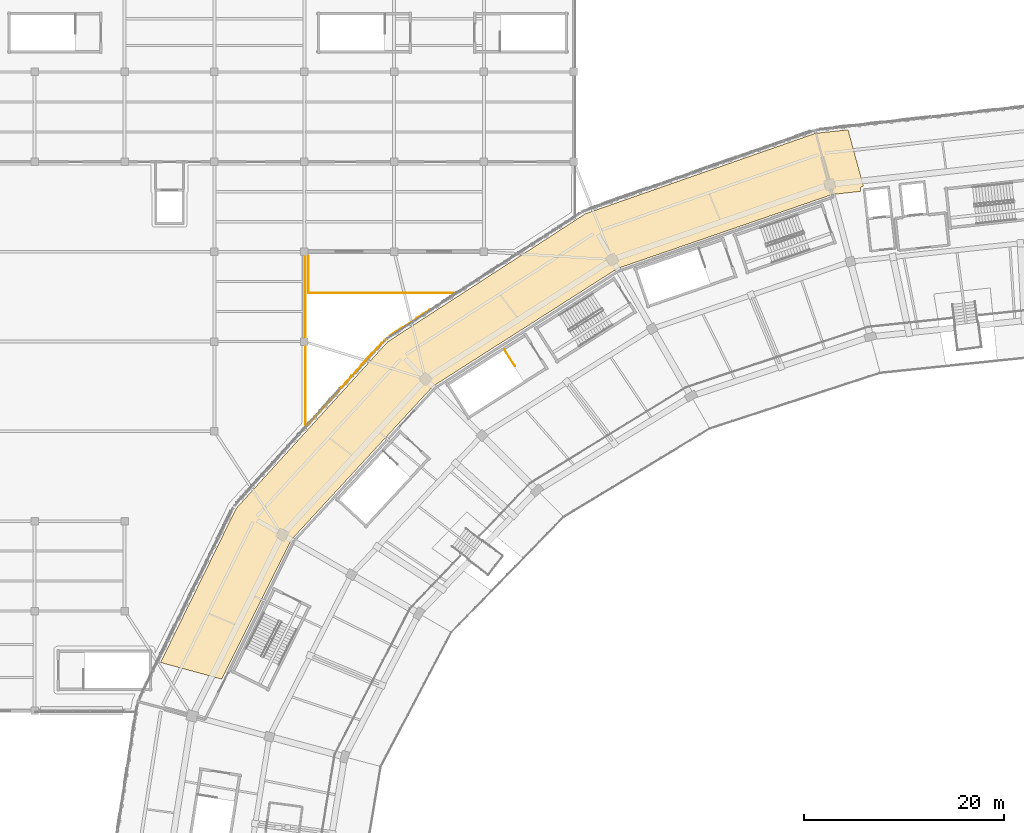
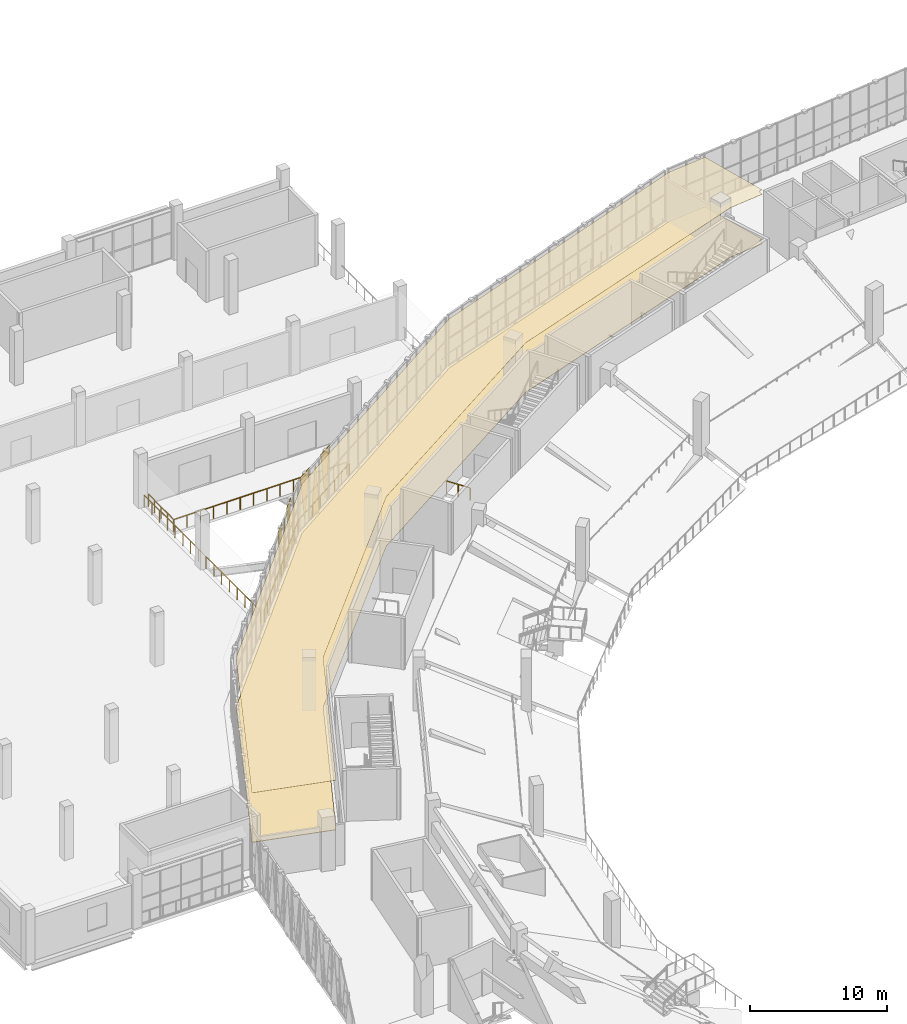
# One storey, part 139 of 152: 9 coverings, 6 railings.
"""IFC4 building model written with IfcOpenShell, lengths in metres."""

from ifc_helpers import new_model, si_unit, direction, frame, origin, origin_2d, place, context, subcontext, project, spatial, polyline, circle, outline, extrude, material, layer, layer_set, type_object, element, save


model = new_model("IFC4")

# Units and contexts
model_context = context("Model", 3, precision=1e-05, world=origin(), true_north=direction((0.0, 1.0)))
body_context = subcontext(model_context, "Body", "Model", "MODEL_VIEW")
ifc_project = project(units=[si_unit("LENGTHUNIT", "METRE"), si_unit("AREAUNIT", "SQUARE_METRE"), si_unit("VOLUMEUNIT", "CUBIC_METRE"), si_unit("PLANEANGLEUNIT", "RADIAN"), si_unit("MASSUNIT", "GRAM", prefix="KILO")], contexts=[model_context])

# Site, building, storey
site_placement = place(None, origin())
site = spatial("IfcSite", under=ifc_project, at=site_placement, CompositionType="ELEMENT")
building_placement = place(site_placement, origin())
building = spatial("IfcBuilding", under=site, at=building_placement, Name="Zevraka Park Crest Stadium", CompositionType="ELEMENT")
storey_placement = place(building_placement, frame((0.0, 0.0, 15.0)))
storey = spatial("IfcBuildingStorey", under=building, at=storey_placement, Name="L03", CompositionType="ELEMENT", Elevation=15.0)

# Coverings
ifc_material_1 = material(Name="Architectural golden-bronze perforated aluminium", Category="aluminium")
ifc_layer_1 = layer(ifc_material_1, 0.034912109375)
ifc_layer_set_1 = layer_set([ifc_layer_1], Name="Architectural golden-bronze perforated aluminium")
covering_type_1 = type_object("IfcCoveringType", Name="CLD01", PredefinedType="CLADDING", material=ifc_layer_set_1)
covering_1_placement = place(storey_placement, frame((47.294921875, 151.3330078125, 4.52001953125), z_axis=(0.543637363059, -0.83932021149, 8.393881e-06), x_axis=(0.839320211519, 0.543637363078, 0.0)))
element("IfcCovering", 1, at=covering_1_placement, inside=storey, type_object=covering_type_1, Name="Triangular Golden-Bronze Perforated Cladding L03-08-12", PredefinedType="CLADDING", context=body_context, shape_type="SweptSolid", body=[
    extrude(outline(polyline([(0.0, 0.0), (1.4680663201763386, 8.470329472543003e-22), (0.733864342024864, -4.300048828276484), (0.0, 0.0)])), origin(), (0.0, 0.0, -1.0), 0.034912109375),
])
covering_2_placement = place(storey_placement, frame((47.160888671875, 151.24609375, -0.260009765625), z_axis=(-0.543244375941, 0.839574615926, 0.000110914), x_axis=(-0.83957462109, -0.543244379282, 0.0)))
element("IfcCovering", 2, at=covering_2_placement, inside=storey, type_object=covering_type_1, Name="Triangular Golden-Bronze Perforated Cladding L03-08-13", PredefinedType="CLADDING", context=body_context, shape_type="SweptSolid", body=[
    extrude(outline(polyline([(0.0, 0.0), (1.4673306729433993, 0.0), (0.7339969065274139, 4.620117215918146), (0.0, 0.0)])), origin(), (0.0, 0.0, -1.0), 0.034912109375),
])
covering_3_placement = place(storey_placement, frame((44.56298828125, 149.56396484375, 4.52001953125), z_axis=(0.543713251999, -0.839271052183, 2.3825329e-05), x_axis=(0.839271052422, 0.543713252153, 0.0)))
element("IfcCovering", 3, at=covering_3_placement, inside=storey, type_object=covering_type_1, Name="Triangular Golden-Bronze Perforated Cladding L03-08-14", PredefinedType="CLADDING", context=body_context, shape_type="SweptSolid", body=[
    extrude(outline(polyline([(0.0, 0.0), (1.4678614140157709, 0.0), (0.7338643357612846, -4.300048829345455), (0.0, 0.0)])), origin(), (0.0, 0.0, -1.0), 0.034912109375),
])
covering_4_placement = place(storey_placement, frame((43.760986328125, 148.884033203125, -0.260009765625), z_axis=(-0.740003442257, 0.672603081417, 1.7771166e-05), x_axis=(-0.672603081524, -0.740003442374, 0.0)))
element("IfcCovering", 4, at=covering_4_placement, inside=storey, type_object=covering_type_1, Name="Triangular Golden-Bronze Perforated Cladding L03-09-1", PredefinedType="CLADDING", context=body_context, shape_type="SweptSolid", body=[
    extrude(outline(polyline([(0.0, 0.0), (1.394564353058445, 0.0), (0.6973725089806841, 4.620117188229551), (0.0, 0.0)])), origin(), (0.0, 0.0, -1.0), 0.034912109375),
])
covering_5_placement = place(storey_placement, frame((41.77587890625, 146.700927734375, 4.52001953125), z_axis=(0.739567864577, -0.67308199078, 8.5867181e-05), x_axis=(0.673081993261, 0.739567867303, 0.0)))
element("IfcCovering", 5, at=covering_5_placement, inside=storey, type_object=covering_type_1, Name="Triangular Golden-Bronze Perforated Cladding L03-09-2", PredefinedType="CLADDING", context=body_context, shape_type="SweptSolid", body=[
    extrude(outline(polyline([(0.0, 0.0), (1.3953856941325256, -1.3552527156068805e-20), (0.698193942993217, -4.300048843977502), (0.0, 0.0)])), origin(), (0.0, 0.0, -1.0), 0.034912109375),
])
covering_6_placement = place(storey_placement, frame((41.66796875, 146.58203125, -0.260009765625), z_axis=(-0.740003442257, 0.672603081417, 1.7771166e-05), x_axis=(-0.672603081524, -0.740003442374, 0.0)))
element("IfcCovering", 6, at=covering_6_placement, inside=storey, type_object=covering_type_1, Name="Triangular Golden-Bronze Perforated Cladding L03-09-3", PredefinedType="CLADDING", context=body_context, shape_type="SweptSolid", body=[
    extrude(outline(polyline([(0.0, 0.0), (1.394564353058445, 0.0), (0.6973725089806841, 4.620117188229551), (0.0, 0.0)])), origin(), (0.0, 0.0, -1.0), 0.034912109375),
])
covering_7_placement = place(storey_placement, frame((39.68310546875, 144.39892578125, 4.52001953125), z_axis=(-0.739971727346, 0.672637972908, 1.1449014e-05), x_axis=(0.672637972952, 0.739971727395, 0.0)))
element("IfcCovering", 7, at=covering_7_placement, inside=storey, type_object=covering_type_1, Name="Triangular Golden-Bronze Perforated Cladding L03-09-4", PredefinedType="CLADDING", context=body_context, shape_type="SweptSolid", body=[
    extrude(outline(polyline([(0.0, 0.0), (1.3959438531687058, -1.6940658945086007e-21), (0.6987520059946044, 4.300048828406826), (0.0, 0.0)])), origin(), (0.0, 0.0, -1.0), 0.034912109375),
])
ifc_material_2 = material(Name="Perforated acoustic mineral-fibre suspended ceiling", Category="other")
ifc_layer_2 = layer(ifc_material_2, 0.02490234375)
ifc_layer_set_2 = layer_set([ifc_layer_2], Name="Perforated acoustic mineral-fibre suspended ceiling")
covering_type_2 = type_object("IfcCoveringType", Name="CLG01", PredefinedType="CEILING", material=ifc_layer_set_2)
covering_8_placement = place(storey_placement, frame((0.0, 0.0, 4.39990234375)))
element("IfcCovering", 8, at=covering_8_placement, inside=storey, type_object=covering_type_2, Name="Acoustic Ceiling Park View Supporter Bar L03-039", PredefinedType="CEILING", context=body_context, shape_type="SweptSolid", body=[
    extrude(outline(polyline([(21.60595703125, 116.85107421875), (29.177001953125, 132.279052734375), (44.366943359375, 148.98388671875), (64.1650390625, 161.802001953125), (87.23291015625, 169.865966796875), (90.469970703125, 170.2041015625), (92.010986328125, 164.55810546875), (91.89697265625, 164.544921875), (91.8779296875, 164.5419921875), (91.860107421875, 164.537109375), (91.842041015625, 164.530029296875), (91.823974609375, 164.52197265625), (91.80810546875, 164.511962890625), (91.79296875, 164.5009765625), (91.779052734375, 164.488037109375), (91.76611328125, 164.47412109375), (91.75390625, 164.458984375), (91.743896484375, 164.443115234375), (91.736083984375, 164.426025390625), (91.72900390625, 164.407958984375), (91.72412109375, 164.389892578125), (91.720947265625, 164.37109375), (91.718994140625, 164.35205078125), (91.718994140625, 164.3330078125), (91.738037109375, 164.047119140625), (88.927001953125, 163.735107421875), (88.905029296875, 163.73095703125), (88.884033203125, 163.72509765625), (67.405029296875, 156.326904296875), (67.383056640625, 156.318115234375), (67.362060546875, 156.306884765625), (48.9169921875, 144.537109375), (48.903076171875, 144.527099609375), (48.889892578125, 144.51611328125), (48.8779296875, 144.50390625), (34.72509765625, 129.166015625), (34.712890625, 129.15087890625), (34.701904296875, 129.135986328125), (34.693115234375, 129.118896484375), (27.72412109375, 115.18408203125), (21.60595703125, 116.85107421875)])), origin(), (0.0, 0.0, 1.0), 0.025146484375),
])
ifc_material_3 = material(Name="Honed terrazzo and slip-resistant sports flooring", Category="other")
ifc_layer_3 = layer(ifc_material_3, 0.0400390625)
ifc_layer_set_3 = layer_set([ifc_layer_3], Name="Honed terrazzo and slip-resistant sports flooring")
covering_type_3 = type_object("IfcCoveringType", Name="FLR01", PredefinedType="FLOORING", material=ifc_layer_set_3)
covering_9_placement = place(storey_placement, origin())
element("IfcCovering", 9, at=covering_9_placement, inside=storey, type_object=covering_type_3, Name="Terrazzo Floor Finish Park View Supporter Bar L03-039", PredefinedType="FLOORING", context=body_context, shape_type="SweptSolid", body=[
    extrude(outline(polyline([(21.60595703125, 116.85107421875), (29.177001953125, 132.279052734375), (44.366943359375, 148.98388671875), (64.1650390625, 161.802001953125), (87.23291015625, 169.865966796875), (90.469970703125, 170.2041015625), (92.010986328125, 164.55810546875), (91.89697265625, 164.544921875), (91.8779296875, 164.5419921875), (91.860107421875, 164.537109375), (91.842041015625, 164.530029296875), (91.823974609375, 164.52197265625), (91.80810546875, 164.511962890625), (91.79296875, 164.5009765625), (91.779052734375, 164.488037109375), (91.76611328125, 164.47412109375), (91.75390625, 164.458984375), (91.743896484375, 164.443115234375), (91.736083984375, 164.426025390625), (91.72900390625, 164.407958984375), (91.72412109375, 164.389892578125), (91.720947265625, 164.37109375), (91.718994140625, 164.35205078125), (91.718994140625, 164.3330078125), (91.738037109375, 164.047119140625), (88.927001953125, 163.735107421875), (88.905029296875, 163.73095703125), (88.884033203125, 163.72509765625), (67.405029296875, 156.326904296875), (67.383056640625, 156.318115234375), (67.362060546875, 156.306884765625), (48.9169921875, 144.537109375), (48.903076171875, 144.527099609375), (48.889892578125, 144.51611328125), (48.8779296875, 144.50390625), (34.72509765625, 129.166015625), (34.712890625, 129.15087890625), (34.701904296875, 129.135986328125), (34.693115234375, 129.118896484375), (27.72412109375, 115.18408203125), (21.60595703125, 116.85107421875)])), origin(), (0.0, 0.0, 1.0), 0.0400390625),
])

# Railings
ifc_material_4 = material(Name="Galvanised and bronze-finished steel balustrade", Category="steel")
railing_type_1 = type_object("IfcRailingType", Name="GR01", PredefinedType="GUARDRAIL", material=ifc_material_4)
railing_1_placement = place(storey_placement, frame((44.1640625, 149.221923828125, 0.0)))
element("IfcRailing", 10, at=railing_1_placement, inside=storey, type_object=railing_type_1, Name="Deck Edge Protection Guardrail GR01 L03-85", PredefinedType="GUARDRAIL", context=body_context, shape_type="SweptSolid", body=[
    extrude(circle(Radius=0.02392578125, at=origin_2d()), frame((0.0, 0.0, 1.076171875), z_axis=(0.839411739415, 0.543496027337, 0.0), x_axis=(-0.543496027337, 0.839411739415, 0.0)), (0.0, 0.0, 1.0), 8.147216796875),
    extrude(circle(Radius=0.02099609375, at=origin_2d()), origin(), (0.0, 0.0, 1.0), 1.052001953125),
    extrude(circle(Radius=0.02099609375, at=origin_2d()), frame((0.97705078125, 0.632568359375, 0.0)), (0.0, 0.0, 1.0), 1.052001953125),
    extrude(circle(Radius=0.02099609375, at=origin_2d()), frame((1.953857421875, 1.26513671875, 0.0)), (0.0, 0.0, 1.0), 1.052001953125),
    extrude(circle(Radius=0.02099609375, at=origin_2d()), frame((2.930908203125, 1.897705078125, 0.0)), (0.0, 0.0, 1.0), 1.052001953125),
    extrude(circle(Radius=0.02099609375, at=origin_2d()), frame((3.907958984375, 2.5302734375, 0.0)), (0.0, 0.0, 1.0), 1.052001953125),
    extrude(circle(Radius=0.02099609375, at=origin_2d()), frame((4.885009765625, 3.162841796875, 0.0)), (0.0, 0.0, 1.0), 1.052001953125),
    extrude(circle(Radius=0.02099609375, at=origin_2d()), frame((5.86181640625, 3.79541015625, 0.0)), (0.0, 0.0, 1.0), 1.052001953125),
    extrude(circle(Radius=0.02099609375, at=origin_2d()), frame((6.8388671875, 4.427978515625, 0.0)), (0.0, 0.0, 1.0), 1.052001953125),
])
railing_2_placement = place(storey_placement, frame((36.10498046875, 157.64697265625, 0.0)))
element("IfcRailing", 11, at=railing_2_placement, inside=storey, type_object=railing_type_1, Name="Deck Edge Protection Guardrail GR01 L03-86", PredefinedType="GUARDRAIL", context=body_context, shape_type="SweptSolid", body=[
    extrude(circle(Radius=0.02392578125, at=origin_2d()), frame((0.0, 0.0, 1.076171875), z_axis=(0.0, -1.0, 0.0), x_axis=(1.0, 0.0, 0.0)), (0.0, 0.0, 1.0), 16.949951171875),
    extrude(circle(Radius=0.02099609375, at=origin_2d()), origin(), (0.0, 0.0, 1.0), 1.052001953125),
    extrude(circle(Radius=0.02099609375, at=origin_2d()), frame((0.0, -1.1298828125, 0.0)), (0.0, 0.0, 1.0), 1.052001953125),
    extrude(circle(Radius=0.02099609375, at=origin_2d()), frame((0.0, -2.260009765625, 0.0)), (0.0, 0.0, 1.0), 1.052001953125),
    extrude(circle(Radius=0.02099609375, at=origin_2d()), frame((0.0, -3.389892578125, 0.0)), (0.0, 0.0, 1.0), 1.052001953125),
    extrude(circle(Radius=0.02099609375, at=origin_2d()), frame((0.0, -4.52001953125, 0.0)), (0.0, 0.0, 1.0), 1.052001953125),
    extrude(circle(Radius=0.02099609375, at=origin_2d()), frame((0.0, -5.64990234375, 0.0)), (0.0, 0.0, 1.0), 1.052001953125),
    extrude(circle(Radius=0.02099609375, at=origin_2d()), frame((0.0, -6.780029296875, 0.0)), (0.0, 0.0, 1.0), 1.052001953125),
    extrude(circle(Radius=0.02099609375, at=origin_2d()), frame((0.0, -7.909912109375, 0.0)), (0.0, 0.0, 1.0), 1.052001953125),
    extrude(circle(Radius=0.02099609375, at=origin_2d()), frame((0.0, -9.0400390625, 0.0)), (0.0, 0.0, 1.0), 1.052001953125),
    extrude(circle(Radius=0.02099609375, at=origin_2d()), frame((0.0, -10.169921875, 0.0)), (0.0, 0.0, 1.0), 1.052001953125),
    extrude(circle(Radius=0.02099609375, at=origin_2d()), frame((0.0, -11.300048828125, 0.0)), (0.0, 0.0, 1.0), 1.052001953125),
    extrude(circle(Radius=0.02099609375, at=origin_2d()), frame((0.0, -12.429931640625, 0.0)), (0.0, 0.0, 1.0), 1.052001953125),
    extrude(circle(Radius=0.02099609375, at=origin_2d()), frame((0.0, -13.56005859375, 0.0)), (0.0, 0.0, 1.0), 1.052001953125),
    extrude(circle(Radius=0.02099609375, at=origin_2d()), frame((0.0, -14.68994140625, 0.0)), (0.0, 0.0, 1.0), 1.052001953125),
    extrude(circle(Radius=0.02099609375, at=origin_2d()), frame((0.0, -15.820068359375, 0.0)), (0.0, 0.0, 1.0), 1.052001953125),
    extrude(circle(Radius=0.02099609375, at=origin_2d()), frame((0.0, -16.949951171875, 0.0)), (0.0, 0.0, 1.0), 1.052001953125),
])
railing_3_placement = place(storey_placement, frame((36.3310546875, 140.60888671875, 0.0)))
element("IfcRailing", 12, at=railing_3_placement, inside=storey, type_object=railing_type_1, Name="Deck Edge Protection Guardrail GR01 L03-87", PredefinedType="GUARDRAIL", context=body_context, shape_type="SweptSolid", body=[
    extrude(circle(Radius=0.02392578125, at=origin_2d()), frame((0.0, 0.0, 1.076171875), z_axis=(0.672812647559, 0.73981290965, 0.0), x_axis=(-0.73981290965, 0.672812647559, 0.0)), (0.0, 0.0, 1.0), 11.64208984375),
    extrude(circle(Radius=0.02099609375, at=origin_2d()), origin(), (0.0, 0.0, 1.0), 1.052001953125),
    extrude(circle(Radius=0.02099609375, at=origin_2d()), frame((0.783203125, 0.861328125, 0.0)), (0.0, 0.0, 1.0), 1.052001953125),
    extrude(circle(Radius=0.02099609375, at=origin_2d()), frame((1.566650390625, 1.72265625, 0.0)), (0.0, 0.0, 1.0), 1.052001953125),
    extrude(circle(Radius=0.02099609375, at=origin_2d()), frame((2.349853515625, 2.583984375, 0.0)), (0.0, 0.0, 1.0), 1.052001953125),
    extrude(circle(Radius=0.02099609375, at=origin_2d()), frame((3.13330078125, 3.4453125, 0.0)), (0.0, 0.0, 1.0), 1.052001953125),
    extrude(circle(Radius=0.02099609375, at=origin_2d()), frame((3.91650390625, 4.306640625, 0.0)), (0.0, 0.0, 1.0), 1.052001953125),
    extrude(circle(Radius=0.02099609375, at=origin_2d()), frame((4.69970703125, 5.167724609375, 0.0)), (0.0, 0.0, 1.0), 1.052001953125),
    extrude(circle(Radius=0.02099609375, at=origin_2d()), frame((5.483154296875, 6.029052734375, 0.0)), (0.0, 0.0, 1.0), 1.052001953125),
    extrude(circle(Radius=0.02099609375, at=origin_2d()), frame((6.266357421875, 6.890380859375, 0.0)), (0.0, 0.0, 1.0), 1.052001953125),
    extrude(circle(Radius=0.02099609375, at=origin_2d()), frame((7.0498046875, 7.751708984375, 0.0)), (0.0, 0.0, 1.0), 1.052001953125),
    extrude(circle(Radius=0.02099609375, at=origin_2d()), frame((7.8330078125, 8.613037109375, 0.0)), (0.0, 0.0, 1.0), 1.052001953125),
])
railing_4_placement = place(storey_placement, frame((36.419921875, 153.8701171875, 0.0)))
element("IfcRailing", 13, at=railing_4_placement, inside=storey, type_object=railing_type_1, Name="Deck Edge Protection Guardrail GR01 L03-88", PredefinedType="GUARDRAIL", context=body_context, shape_type="SweptSolid", body=[
    extrude(circle(Radius=0.02392578125, at=origin_2d()), frame((0.0, 0.0, 1.076171875), z_axis=(0.0, 1.0, 0.0), x_axis=(-1.0, 0.0, 0.0)), (0.0, 0.0, 1.0), 3.699951171875),
    extrude(circle(Radius=0.02099609375, at=origin_2d()), origin(), (0.0, 0.0, 1.0), 1.052001953125),
    extrude(circle(Radius=0.02099609375, at=origin_2d()), frame((0.0, 0.925048828125, 0.0)), (0.0, 0.0, 1.0), 1.052001953125),
    extrude(circle(Radius=0.02099609375, at=origin_2d()), frame((0.0, 1.85009765625, 0.0)), (0.0, 0.0, 1.0), 1.052001953125),
    extrude(circle(Radius=0.02099609375, at=origin_2d()), frame((0.0, 2.77490234375, 0.0)), (0.0, 0.0, 1.0), 1.052001953125),
    extrude(circle(Radius=0.02099609375, at=origin_2d()), frame((0.0, 3.699951171875, 0.0)), (0.0, 0.0, 1.0), 1.052001953125),
])
railing_5_placement = place(storey_placement, frame((50.93798828125, 153.8701171875, 0.0)))
element("IfcRailing", 14, at=railing_5_placement, inside=storey, type_object=railing_type_1, Name="Deck Edge Protection Guardrail GR01 L03-89", PredefinedType="GUARDRAIL", context=body_context, shape_type="SweptSolid", body=[
    extrude(circle(Radius=0.02392578125, at=origin_2d()), frame((0.0, 0.0, 1.076171875), z_axis=(-1.0, 0.0, 0.0), x_axis=(0.0, -1.0, 0.0)), (0.0, 0.0, 1.0), 14.51806640625),
    extrude(circle(Radius=0.02099609375, at=origin_2d()), origin(), (0.0, 0.0, 1.0), 1.052001953125),
    extrude(circle(Radius=0.02099609375, at=origin_2d()), frame((-1.11669921875, 0.0, 0.0)), (0.0, 0.0, 1.0), 1.052001953125),
    extrude(circle(Radius=0.02099609375, at=origin_2d()), frame((-2.233642578125, 0.0, 0.0)), (0.0, 0.0, 1.0), 1.052001953125),
    extrude(circle(Radius=0.02099609375, at=origin_2d()), frame((-3.350341796875, 0.0, 0.0)), (0.0, 0.0, 1.0), 1.052001953125),
    extrude(circle(Radius=0.02099609375, at=origin_2d()), frame((-4.467041015625, 0.0, 0.0)), (0.0, 0.0, 1.0), 1.052001953125),
    extrude(circle(Radius=0.02099609375, at=origin_2d()), frame((-5.583984375, 0.0, 0.0)), (0.0, 0.0, 1.0), 1.052001953125),
    extrude(circle(Radius=0.02099609375, at=origin_2d()), frame((-6.70068359375, 0.0, 0.0)), (0.0, 0.0, 1.0), 1.052001953125),
    extrude(circle(Radius=0.02099609375, at=origin_2d()), frame((-7.8173828125, 0.0, 0.0)), (0.0, 0.0, 1.0), 1.052001953125),
    extrude(circle(Radius=0.02099609375, at=origin_2d()), frame((-8.93408203125, 0.0, 0.0)), (0.0, 0.0, 1.0), 1.052001953125),
    extrude(circle(Radius=0.02099609375, at=origin_2d()), frame((-10.051025390625, 0.0, 0.0)), (0.0, 0.0, 1.0), 1.052001953125),
    extrude(circle(Radius=0.02099609375, at=origin_2d()), frame((-11.167724609375, 0.0, 0.0)), (0.0, 0.0, 1.0), 1.052001953125),
    extrude(circle(Radius=0.02099609375, at=origin_2d()), frame((-12.284423828125, 0.0, 0.0)), (0.0, 0.0, 1.0), 1.052001953125),
    extrude(circle(Radius=0.02099609375, at=origin_2d()), frame((-13.4013671875, 0.0, 0.0)), (0.0, 0.0, 1.0), 1.052001953125),
    extrude(circle(Radius=0.02099609375, at=origin_2d()), frame((-14.51806640625, 0.0, 0.0)), (0.0, 0.0, 1.0), 1.052001953125),
])
ifc_material_5 = material(Name="Powder-coated tubular steel stairwell guard", Category="steel")
railing_type_2 = type_object("IfcRailingType", Name="GR03", PredefinedType="GUARDRAIL", material=ifc_material_5)
railing_6_placement = place(storey_placement, frame((56.044189453125, 148.20458984375, 0.0)))
element("IfcRailing", 15, at=railing_6_placement, inside=storey, type_object=railing_type_2, Name="L03 ST28 top well guard 1", PredefinedType="GUARDRAIL", context=body_context, shape_type="SweptSolid", body=[
    extrude(circle(Radius=0.02392578125, at=origin_2d()), frame((0.0, 0.0, 1.076171875), z_axis=(0.535730515973, -0.844389018317, 0.0), x_axis=(0.844389018317, 0.535730515973, 0.0)), (0.0, 0.0, 1.0), 1.9599609375),
    extrude(circle(Radius=0.02099609375, at=origin_2d()), origin(), (0.0, 0.0, 1.0), 1.052001953125),
    extrude(circle(Radius=0.02099609375, at=origin_2d()), frame((0.52490234375, -0.82763671875, 0.0)), (0.0, 0.0, 1.0), 1.052001953125),
    extrude(circle(Radius=0.02099609375, at=origin_2d()), frame((1.050048828125, -1.655029296875, 0.0)), (0.0, 0.0, 1.0), 1.052001953125),
])

save(model, "model.ifc")
